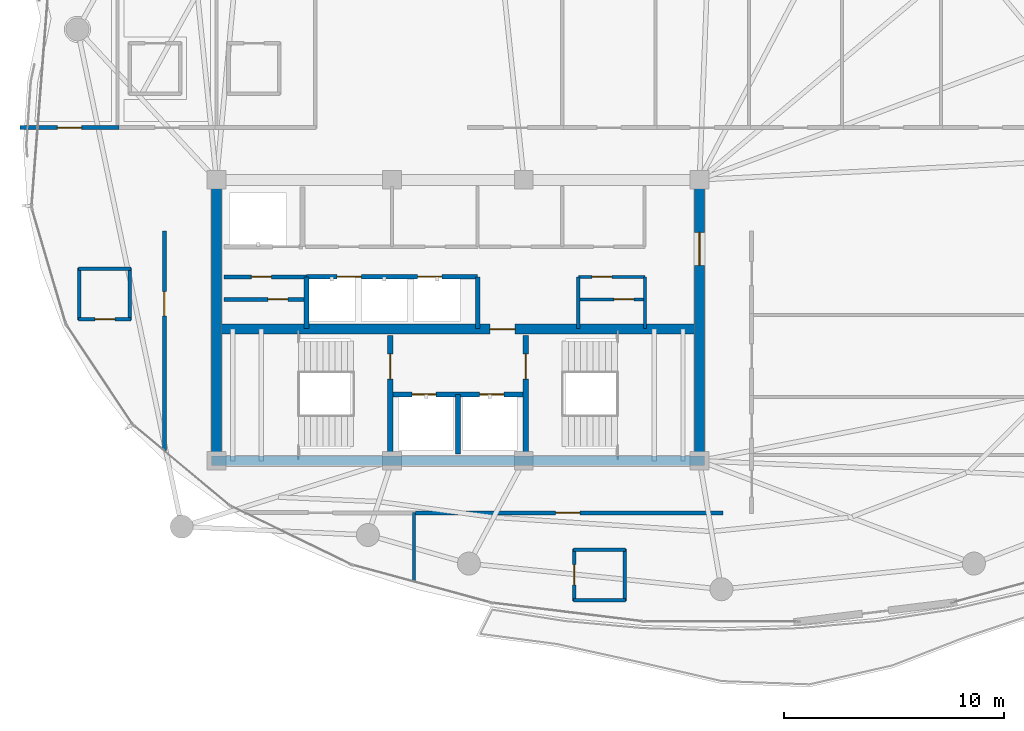
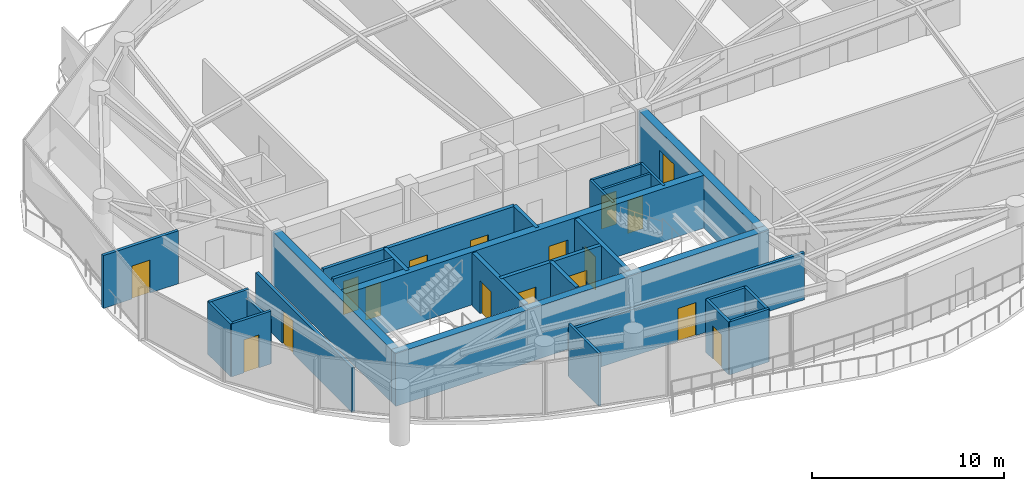
# One storey, part 25 of 31: 29 walls, 17 doors, 17 openings.
"""IFC4 building model written with IfcOpenShell, lengths in metres."""

from ifc_helpers import new_model, si_unit, direction, frame, frame_2d, origin, place, context, subcontext, project, spatial, rectangle, extrude, material, layer, layer_set, type_object, element, fill, save


model = new_model("IFC4")

# Units and contexts
model_context = context("Model", 3, precision=1e-05, world=origin(), true_north=direction((0.0, 1.0)))
body_context = subcontext(model_context, "Body", "Model", "MODEL_VIEW")
ifc_project = project(units=[si_unit("LENGTHUNIT", "METRE"), si_unit("AREAUNIT", "SQUARE_METRE"), si_unit("VOLUMEUNIT", "CUBIC_METRE"), si_unit("PLANEANGLEUNIT", "RADIAN"), si_unit("MASSUNIT", "GRAM", prefix="KILO")], contexts=[model_context])

# Site, building, storey
site_placement = place(None, origin())
site = spatial("IfcSite", under=ifc_project, at=site_placement, CompositionType="ELEMENT")
building_placement = place(site_placement, origin())
building = spatial("IfcBuilding", under=site, at=building_placement, Name="Kazevale Care Tower and Concert Hall", CompositionType="ELEMENT")
storey_placement = place(building_placement, frame((0.0, 0.0, 220.800048828125)))
storey = spatial("IfcBuildingStorey", under=building, at=storey_placement, Name="L58", CompositionType="ELEMENT", Elevation=220.800048828125)

# Walls
ifc_material_1 = material(Name="Acoustic Gypsum on Steel Stud", Category="steel")
ifc_layer_1 = layer(ifc_material_1, 0.139892578125)
ifc_layer_set_1 = layer_set([ifc_layer_1], Name="Acoustic Gypsum on Steel Stud")
wall_type_1 = type_object("IfcWallType", Name="Acoustic Care & Suite Partition 140", PredefinedType="PARTITIONING", material=ifc_layer_set_1)
for number, where, z_axis, x_axis, name in (
    (1, (38.47998046875, 29.6201171875, 0.0), (0.0, 0.0, 1.0), (0.0, 1.0, 0.0), "wall:L58:kc_ew"),
    (2, (41.52001953125, 29.6201171875, 0.0), (0.0, 0.0, 1.0), (0.0, 1.0, 0.0), "wall:L58:kc_ee"),
):
    element("IfcWall", number, at=place(storey_placement, frame(where, z_axis=z_axis, x_axis=x_axis)), inside=storey, type_object=wall_type_1, Name=name, PredefinedType="PARTITIONING", context=body_context, shape_type="SweptSolid", body=[
        extrude(rectangle(XDim=2.35986328125, YDim=0.139892578125, at=frame_2d((1.179931640625, 0.0))), origin(), (0.0, 0.0, 1.0), 3.35986328125),
    ])

# Wall, opening, door
wall_1_placement = place(storey_placement, frame((38.47998046875, 30.949951171875, 0.0), z_axis=(0.0, 0.0, 1.0), x_axis=(1.0, 0.0, 0.0)))
wall_1 = element("IfcWall", 3, at=wall_1_placement, inside=storey, type_object=wall_type_1, Name="wall:L58:kc_em", PredefinedType="PARTITIONING", context=body_context, shape_type="SweptSolid", body=[
    extrude(rectangle(XDim=3.0400390625, YDim=0.139892578125, at=frame_2d((1.52001953125, 0.0))), origin(), (0.0, 0.0, 1.0), 3.35986328125),
])
opening_1_placement = place(wall_1_placement, frame((1.616943359375, 0.0, 0.0)))
opening_1 = element("IfcOpeningElement", 4, at=opening_1_placement, cuts=wall_1, Name="Opening ID-900", PredefinedType="OPENING", context=body_context, shape_type="SweptSolid", body=[
    extrude(rectangle(XDim=0.919921875, YDim=2.10009765625, at=frame_2d((0.4599609375, 1.050048828125))), frame((0.0, 0.079833984375, 0.0), z_axis=(0.0, -1.0, 0.0), x_axis=(1.0, 0.0, 0.0)), (0.0, 0.0, 1.0), 0.159912109375),
])
ifc_material_2 = material(Name="Oak Timber Fire Leaf", Category="wood")
door_type_1 = type_object("IfcDoorType", Name="Bathroom & Service Door 920x2100", OperationType="NOTDEFINED", PredefinedType="DOOR", material=ifc_material_2)
door_1_placement = place(opening_1_placement, origin())
door_1 = element("IfcDoor", 5, at=door_1_placement, inside=storey, type_object=door_type_1, Name="door:L58:d_kceb", OperationType="SINGLE_SWING_RIGHT", OverallHeight=2.10009765625, OverallWidth=0.919921875, PredefinedType="DOOR", context=body_context, shape_type="SweptSolid", body=[
    extrude(rectangle(XDim=0.919921875, YDim=2.10009765625, at=frame_2d((0.4599609375, 1.050048828125))), frame((0.0, 0.02490234375, 0.0), z_axis=(0.0, -1.0, 0.0), x_axis=(1.0, 0.0, 0.0)), (0.0, 0.0, 1.0), 0.050048828125),
])
fill(opening_1, door_1)

wall_2_placement = place(storey_placement, frame((38.47998046875, 31.97998046875, 0.0), z_axis=(0.0, 0.0, 1.0), x_axis=(1.0, 0.0, 0.0)))
wall_2 = element("IfcWall", 6, at=wall_2_placement, inside=storey, type_object=wall_type_1, Name="wall:L58:kc_en", PredefinedType="PARTITIONING", context=body_context, shape_type="SweptSolid", body=[
    extrude(rectangle(XDim=3.0400390625, YDim=0.139892578125, at=frame_2d((1.52001953125, 0.0))), origin(), (0.0, 0.0, 1.0), 3.35986328125),
])
opening_2_placement = place(wall_2_placement, frame((0.614013671875, 0.0, 0.0)))
opening_2 = element("IfcOpeningElement", 7, at=opening_2_placement, cuts=wall_2, Name="Opening ID-900", PredefinedType="OPENING", context=body_context, shape_type="SweptSolid", body=[
    extrude(rectangle(XDim=0.919921875, YDim=2.10009765625, at=frame_2d((0.4599609375, 1.050048828125))), frame((0.0, 0.079833984375, 0.0), z_axis=(0.0, -1.0, 0.0), x_axis=(1.0, 0.0, 0.0)), (0.0, 0.0, 1.0), 0.159912109375),
])
door_2_placement = place(opening_2_placement, origin())
door_2 = element("IfcDoor", 8, at=door_2_placement, inside=storey, type_object=door_type_1, Name="door:L58:d_kcet", OperationType="SINGLE_SWING_LEFT", OverallHeight=2.10009765625, OverallWidth=0.919921875, PredefinedType="DOOR", context=body_context, shape_type="SweptSolid", body=[
    extrude(rectangle(XDim=0.919921875, YDim=2.10009765625, at=frame_2d((0.4599609375, 1.050048828125))), frame((0.0, 0.02490234375, 0.0), z_axis=(0.0, -1.0, 0.0), x_axis=(1.0, 0.0, 0.0)), (0.0, 0.0, 1.0), 0.050048828125),
])
fill(opening_2, door_2)

# Walls
wall_3_placement = place(storey_placement, frame((31.0, 21.2548828125, 0.0), z_axis=(0.0, 0.0, 1.0), x_axis=(0.0, -1.0, 0.0)))
element("IfcWall", 9, at=wall_3_placement, inside=storey, type_object=wall_type_1, Name="wall:L58:auto_030", PredefinedType="PARTITIONING", context=body_context, shape_type="SweptSolid", body=[
    extrude(rectangle(XDim=3.14990234375, YDim=0.139892578125, at=frame_2d((1.574951171875, 0.0))), origin(), (0.0, 0.0, 1.0), 3.35986328125),
])
ifc_material_3 = material(Name="Concrete C50", Category="concrete")
ifc_layer_2 = layer(ifc_material_3, 0.449951171875)
ifc_layer_set_2 = layer_set([ifc_layer_2], Name="Concrete C50")
wall_type_2 = type_object("IfcWallType", Name="Core Shear Wall 450 C50", PredefinedType="SHEAR", material=ifc_layer_set_2)
wall_4_placement = place(storey_placement, frame((21.77490234375, 23.60009765625, 0.0), z_axis=(0.0, 0.0, 1.0), x_axis=(1.0, 0.0, 0.0)))
element("IfcWall", 10, at=wall_4_placement, inside=storey, type_object=wall_type_2, Name="wall:L58:core:S", PredefinedType="SHEAR", context=body_context, shape_type="SweptSolid", body=[
    extrude(rectangle(XDim=22.4501953125, YDim=0.449951171875, at=frame_2d((11.22509765625, 0.0))), origin(), (0.0, 0.0, 1.0), 3.35986328125),
])
wall_5_placement = place(storey_placement, frame((22.0, 23.824951171875, 0.0), z_axis=(0.0, 0.0, 1.0), x_axis=(0.0, 1.0, 0.0)))
element("IfcWall", 11, at=wall_5_placement, inside=storey, type_object=wall_type_2, Name="wall:L58:core:W", PredefinedType="SHEAR", context=body_context, shape_type="SweptSolid", body=[
    extrude(rectangle(XDim=12.35009765625, YDim=0.449951171875, at=frame_2d((6.175048828125, 0.0))), origin(), (0.0, 0.0, 1.0), 3.35986328125),
])

# Wall, opening, door
wall_6_placement = place(storey_placement, frame((44.0, 23.824951171875, 0.0), z_axis=(0.0, 0.0, 1.0), x_axis=(0.0, 1.0, 0.0)))
wall_6 = element("IfcWall", 12, at=wall_6_placement, inside=storey, type_object=wall_type_2, Name="wall:L58:core:E", PredefinedType="SHEAR", context=body_context, shape_type="SweptSolid", body=[
    extrude(rectangle(XDim=12.35009765625, YDim=0.449951171875, at=frame_2d((6.175048828125, 0.0))), origin(), (0.0, 0.0, 1.0), 3.35986328125),
])
opening_3_placement = place(wall_6_placement, frame((8.675048828125, 0.0, 0.0)))
opening_3 = element("IfcOpeningElement", 13, at=opening_3_placement, cuts=wall_6, Name="Opening FD-60D", PredefinedType="OPENING", context=body_context, shape_type="SweptSolid", body=[
    extrude(rectangle(XDim=1.5, YDim=2.14990234375, at=frame_2d((0.75, 1.074951171875))), frame((0.0, 0.23486328125, 0.0), z_axis=(0.0, -1.0, 0.0), x_axis=(1.0, 0.0, 0.0)), (0.0, 0.0, 1.0), 0.469970703125),
])
door_type_2 = type_object("IfcDoorType", Name="Double Lobby & Auditorium Fire Door 1500x2150", OperationType="NOTDEFINED", PredefinedType="DOOR", material=ifc_material_2)
door_3_placement = place(opening_3_placement, origin())
door_3 = element("IfcDoor", 14, at=door_3_placement, inside=storey, type_object=door_type_2, Name="door:L58:core_east_out", OperationType="DOUBLE_DOOR_SINGLE_SWING", OverallHeight=2.14990234375, OverallWidth=1.5, PredefinedType="DOOR", context=body_context, shape_type="SweptSolid", body=[
    extrude(rectangle(XDim=1.5, YDim=2.14990234375, at=frame_2d((0.75, 1.074951171875))), frame((0.0, 0.02490234375, 0.0), z_axis=(0.0, -1.0, 0.0), x_axis=(1.0, 0.0, 0.0)), (0.0, 0.0, 1.0), 0.050048828125),
])
fill(opening_3, door_3)

wall_7_placement = place(storey_placement, frame((22.22509765625, 29.60009765625, 0.0), z_axis=(0.0, 0.0, 1.0), x_axis=(1.0, 0.0, 0.0)))
wall_7 = element("IfcWall", 15, at=wall_7_placement, inside=storey, type_object=wall_type_2, Name="wall:L58:core:M", PredefinedType="SHEAR", context=body_context, shape_type="SweptSolid", body=[
    extrude(rectangle(XDim=21.5498046875, YDim=0.449951171875, at=frame_2d((10.77490234375, 0.0))), origin(), (0.0, 0.0, 1.0), 3.35986328125),
])
opening_4_placement = place(wall_7_placement, frame((12.22509765625, 0.0, 0.0)))
opening_4 = element("IfcOpeningElement", 16, at=opening_4_placement, cuts=wall_7, Name="Opening FD-90", PredefinedType="OPENING", context=body_context, shape_type="SweptSolid", body=[
    extrude(rectangle(XDim=1.14990234375, YDim=2.10009765625, at=frame_2d((0.574951171875, 1.050048828125))), frame((0.0, 0.23486328125, 0.0), z_axis=(0.0, -1.0, 0.0), x_axis=(1.0, 0.0, 0.0)), (0.0, 0.0, 1.0), 0.469970703125),
])
ifc_material_4 = material(Name="Steel ASTM A572 Gr 50", Category="steel")
door_type_3 = type_object("IfcDoorType", Name="Pressurized Stair & Lobby Fire Door 1150x2100", OperationType="NOTDEFINED", PredefinedType="DOOR", material=ifc_material_4)
door_4_placement = place(opening_4_placement, origin())
door_4 = element("IfcDoor", 17, at=door_4_placement, inside=storey, type_object=door_type_3, Name="door:L58:ff_to_pax", OperationType="SINGLE_SWING_LEFT", OverallHeight=2.10009765625, OverallWidth=1.14990234375, PredefinedType="DOOR", context=body_context, shape_type="SweptSolid", body=[
    extrude(rectangle(XDim=1.14990234375, YDim=2.10009765625, at=frame_2d((0.574951171875, 1.050048828125))), frame((0.0, 0.02490234375, 0.0), z_axis=(0.0, -1.0, 0.0), x_axis=(1.0, 0.0, 0.0)), (0.0, 0.0, 1.0), 0.050048828125),
])
fill(opening_4, door_4)

# Wall, openings, doors
ifc_material_5 = material(Name="Concrete C40", Category="concrete")
ifc_layer_3 = layer(ifc_material_5, 0.219970703125)
ifc_layer_set_3 = layer_set([ifc_layer_3], Name="Concrete C40")
wall_type_3 = type_object("IfcWallType", Name="Elevator Hoistway Shaft Wall 220", PredefinedType="SOLIDWALL", material=ifc_layer_set_3)
wall_8_placement = place(storey_placement, frame((29.919921875, 26.6201171875, 0.0), z_axis=(0.0, 0.0, 1.0), x_axis=(1.0, 0.0, 0.0)))
wall_8 = element("IfcWall", 18, at=wall_8_placement, inside=storey, type_object=wall_type_3, Name="wall:L58:c_ffl_n", PredefinedType="SOLIDWALL", context=body_context, shape_type="SweptSolid", body=[
    extrude(rectangle(XDim=6.16015625, YDim=0.219970703125, at=frame_2d((3.080078125, 0.0))), origin(), (0.0, 0.0, 1.0), 3.35986328125),
])
opening_5_placement = place(wall_8_placement, frame((0.989990234375, 0.0, 0.0)))
opening_5 = element("IfcOpeningElement", 19, at=opening_5_placement, cuts=wall_8, Name="Opening LD-FF", PredefinedType="OPENING", context=body_context, shape_type="SweptSolid", body=[
    extrude(rectangle(XDim=1.10009765625, YDim=2.10009765625, at=frame_2d((0.550048828125, 1.050048828125))), frame((0.0, 0.119873046875, 0.0), z_axis=(0.0, -1.0, 0.0), x_axis=(1.0, 0.0, 0.0)), (0.0, 0.0, 1.0), 0.239990234375),
])
opening_6_placement = place(wall_8_placement, frame((4.070068359375, 0.0, 0.0)))
opening_6 = element("IfcOpeningElement", 20, at=opening_6_placement, cuts=wall_8, Name="Opening LD-FF", PredefinedType="OPENING", context=body_context, shape_type="SweptSolid", body=[
    extrude(rectangle(XDim=1.10009765625, YDim=2.10009765625, at=frame_2d((0.550048828125, 1.050048828125))), frame((0.0, 0.119873046875, 0.0), z_axis=(0.0, -1.0, 0.0), x_axis=(1.0, 0.0, 0.0)), (0.0, 0.0, 1.0), 0.239990234375),
])
ifc_material_6 = material(Name="Stainless Steel 316", Category="steel")
door_type_4 = type_object("IfcDoorType", Name="Emergency Lift Sliding Landing Door 1100x2100", OperationType="NOTDEFINED", PredefinedType="DOOR", material=ifc_material_6)
door_5_placement = place(opening_5_placement, origin())
door_5 = element("IfcDoor", 21, at=door_5_placement, inside=storey, type_object=door_type_4, Name="door:L58:ld_ffl1", OperationType="SLIDING_TO_LEFT", OverallHeight=2.10009765625, OverallWidth=1.10009765625, PredefinedType="DOOR", context=body_context, shape_type="SweptSolid", body=[
    extrude(rectangle(XDim=1.10009765625, YDim=2.10009765625, at=frame_2d((0.550048828125, 1.050048828125))), frame((0.0, 0.02490234375, 0.0), z_axis=(0.0, -1.0, 0.0), x_axis=(1.0, 0.0, 0.0)), (0.0, 0.0, 1.0), 0.050048828125),
])
fill(opening_5, door_5)
door_6_placement = place(opening_6_placement, origin())
door_6 = element("IfcDoor", 22, at=door_6_placement, inside=storey, type_object=door_type_4, Name="door:L58:ld_ffl2", OperationType="SLIDING_TO_RIGHT", OverallHeight=2.10009765625, OverallWidth=1.10009765625, PredefinedType="DOOR", context=body_context, shape_type="SweptSolid", body=[
    extrude(rectangle(XDim=1.10009765625, YDim=2.10009765625, at=frame_2d((0.550048828125, 1.050048828125))), frame((0.0, 0.02490234375, 0.0), z_axis=(0.0, -1.0, 0.0), x_axis=(1.0, 0.0, 0.0)), (0.0, 0.0, 1.0), 0.050048828125),
])
fill(opening_6, door_6)

# Walls
wall_9_placement = place(storey_placement, frame((33.0, 23.89990234375, 0.0), z_axis=(0.0, 0.0, 1.0), x_axis=(0.0, 1.0, 0.0)))
element("IfcWall", 23, at=wall_9_placement, inside=storey, type_object=wall_type_3, Name="wall:L58:c_ffl_m", PredefinedType="SOLIDWALL", context=body_context, shape_type="SweptSolid", body=[
    extrude(rectangle(XDim=2.72021484375, YDim=0.219970703125, at=frame_2d((1.360107421875, 0.0))), origin(), (0.0, 0.0, 1.0), 3.35986328125),
])
wall_10_placement = place(storey_placement, frame((26.10009765625, 29.6201171875, 0.0), z_axis=(0.0, 0.0, 1.0), x_axis=(0.0, 1.0, 0.0)))
element("IfcWall", 24, at=wall_10_placement, inside=storey, type_object=wall_type_3, Name="wall:L58:c_ph_w", PredefinedType="SOLIDWALL", context=body_context, shape_type="SweptSolid", body=[
    extrude(rectangle(XDim=2.35986328125, YDim=0.219970703125, at=frame_2d((1.179931640625, 0.0))), origin(), (0.0, 0.0, 1.0), 3.35986328125),
])

# Wall, openings, doors
wall_11_placement = place(storey_placement, frame((26.10009765625, 31.97998046875, 0.0), z_axis=(0.0, 0.0, 1.0), x_axis=(1.0, 0.0, 0.0)))
wall_11 = element("IfcWall", 25, at=wall_11_placement, inside=storey, type_object=wall_type_3, Name="wall:L58:c_ph_n", PredefinedType="SOLIDWALL", context=body_context, shape_type="SweptSolid", body=[
    extrude(rectangle(XDim=7.7998046875, YDim=0.219970703125, at=frame_2d((3.89990234375, 0.0))), origin(), (0.0, 0.0, 1.0), 3.35986328125),
])
opening_7_placement = place(wall_11_placement, frame((1.39990234375, 0.0, 0.0)))
opening_7 = element("IfcOpeningElement", 26, at=opening_7_placement, cuts=wall_11, Name="Opening LD-PAX", PredefinedType="OPENING", context=body_context, shape_type="SweptSolid", body=[
    extrude(rectangle(XDim=1.10009765625, YDim=2.10009765625, at=frame_2d((0.550048828125, 1.050048828125))), frame((0.0, 0.119873046875, 0.0), z_axis=(0.0, -1.0, 0.0), x_axis=(1.0, 0.0, 0.0)), (0.0, 0.0, 1.0), 0.239990234375),
])
opening_8_placement = place(wall_11_placement, frame((5.06591796875, 0.0, 0.0)))
opening_8 = element("IfcOpeningElement", 27, at=opening_8_placement, cuts=wall_11, Name="Opening LD-PAX", PredefinedType="OPENING", context=body_context, shape_type="SweptSolid", body=[
    extrude(rectangle(XDim=1.10009765625, YDim=2.10009765625, at=frame_2d((0.550048828125, 1.050048828125))), frame((0.0, 0.119873046875, 0.0), z_axis=(0.0, -1.0, 0.0), x_axis=(1.0, 0.0, 0.0)), (0.0, 0.0, 1.0), 0.239990234375),
])
door_type_5 = type_object("IfcDoorType", Name="Passenger Lift Sliding Landing Door 1100x2100", OperationType="NOTDEFINED", PredefinedType="DOOR", material=ifc_material_6)
door_7_placement = place(opening_7_placement, origin())
door_7 = element("IfcDoor", 28, at=door_7_placement, inside=storey, type_object=door_type_5, Name="door:L58:ld_ph1", OperationType="SLIDING_TO_LEFT", OverallHeight=2.10009765625, OverallWidth=1.10009765625, PredefinedType="DOOR", context=body_context, shape_type="SweptSolid", body=[
    extrude(rectangle(XDim=1.10009765625, YDim=2.10009765625, at=frame_2d((0.550048828125, 1.050048828125))), frame((0.0, 0.02490234375, 0.0), z_axis=(0.0, -1.0, 0.0), x_axis=(1.0, 0.0, 0.0)), (0.0, 0.0, 1.0), 0.050048828125),
])
fill(opening_7, door_7)
door_8_placement = place(opening_8_placement, origin())
door_8 = element("IfcDoor", 29, at=door_8_placement, inside=storey, type_object=door_type_5, Name="door:L58:ld_ph2", OperationType="SLIDING_TO_RIGHT", OverallHeight=2.10009765625, OverallWidth=1.10009765625, PredefinedType="DOOR", context=body_context, shape_type="SweptSolid", body=[
    extrude(rectangle(XDim=1.10009765625, YDim=2.10009765625, at=frame_2d((0.550048828125, 1.050048828125))), frame((0.0, 0.02490234375, 0.0), z_axis=(0.0, -1.0, 0.0), x_axis=(1.0, 0.0, 0.0)), (0.0, 0.0, 1.0), 0.050048828125),
])
fill(opening_8, door_8)

# Wall
wall_12_placement = place(storey_placement, frame((33.89990234375, 29.6201171875, 0.0), z_axis=(0.0, 0.0, 1.0), x_axis=(0.0, 1.0, 0.0)))
element("IfcWall", 30, at=wall_12_placement, inside=storey, type_object=wall_type_3, Name="wall:L58:c_ph_e", PredefinedType="SOLIDWALL", context=body_context, shape_type="SweptSolid", body=[
    extrude(rectangle(XDim=2.35986328125, YDim=0.219970703125, at=frame_2d((1.179931640625, 0.0))), origin(), (0.0, 0.0, 1.0), 3.35986328125),
])

# Wall, opening, door
ifc_material_7 = material(Name="Concrete C40 and Acoustic Gypsum", Category="concrete")
ifc_layer_4 = layer(ifc_material_7, 0.179931640625)
ifc_layer_set_4 = layer_set([ifc_layer_4], Name="Concrete C40 and Acoustic Gypsum")
wall_type_4 = type_object("IfcWallType", Name="Fire-Rated Corridor & Party Wall 180", PredefinedType="PARTITIONING", material=ifc_layer_set_4)
wall_13_placement = place(storey_placement, frame((22.35009765625, 30.949951171875, 0.0), z_axis=(0.0, 0.0, 1.0), x_axis=(1.0, 0.0, 0.0)))
wall_13 = element("IfcWall", 31, at=wall_13_placement, inside=storey, type_object=wall_type_4, Name="wall:L58:kc_wm", PredefinedType="PARTITIONING", context=body_context, shape_type="SweptSolid", body=[
    extrude(rectangle(XDim=3.75, YDim=0.179931640625, at=frame_2d((1.875, 0.0))), origin(), (0.0, 0.0, 1.0), 3.35986328125),
])
opening_9_placement = place(wall_13_placement, frame((1.988037109375, 0.0, 0.0)))
opening_9 = element("IfcOpeningElement", 32, at=opening_9_placement, cuts=wall_13, Name="Opening ID-900", PredefinedType="OPENING", context=body_context, shape_type="SweptSolid", body=[
    extrude(rectangle(XDim=0.919921875, YDim=2.10009765625, at=frame_2d((0.4599609375, 1.050048828125))), frame((0.0, 0.099853515625, 0.0), z_axis=(0.0, -1.0, 0.0), x_axis=(1.0, 0.0, 0.0)), (0.0, 0.0, 1.0), 0.199951171875),
])
door_9_placement = place(opening_9_placement, origin())
door_9 = element("IfcDoor", 33, at=door_9_placement, inside=storey, type_object=door_type_1, Name="door:L58:d_kcwb", OperationType="SINGLE_SWING_RIGHT", OverallHeight=2.10009765625, OverallWidth=0.919921875, PredefinedType="DOOR", context=body_context, shape_type="SweptSolid", body=[
    extrude(rectangle(XDim=0.919921875, YDim=2.10009765625, at=frame_2d((0.4599609375, 1.050048828125))), frame((0.0, 0.02490234375, 0.0), z_axis=(0.0, -1.0, 0.0), x_axis=(1.0, 0.0, 0.0)), (0.0, 0.0, 1.0), 0.050048828125),
])
fill(opening_9, door_9)

wall_14_placement = place(storey_placement, frame((22.35009765625, 31.97998046875, 0.0), z_axis=(0.0, 0.0, 1.0), x_axis=(1.0, 0.0, 0.0)))
wall_14 = element("IfcWall", 34, at=wall_14_placement, inside=storey, type_object=wall_type_4, Name="wall:L58:kc_wn", PredefinedType="PARTITIONING", context=body_context, shape_type="SweptSolid", body=[
    extrude(rectangle(XDim=3.75, YDim=0.179931640625, at=frame_2d((1.875, 0.0))), origin(), (0.0, 0.0, 1.0), 3.35986328125),
])
opening_10_placement = place(wall_14_placement, frame((1.238037109375, 0.0, 0.0)))
opening_10 = element("IfcOpeningElement", 35, at=opening_10_placement, cuts=wall_14, Name="Opening ID-900", PredefinedType="OPENING", context=body_context, shape_type="SweptSolid", body=[
    extrude(rectangle(XDim=0.919921875, YDim=2.10009765625, at=frame_2d((0.4599609375, 1.050048828125))), frame((0.0, 0.099853515625, 0.0), z_axis=(0.0, -1.0, 0.0), x_axis=(1.0, 0.0, 0.0)), (0.0, 0.0, 1.0), 0.199951171875),
])
door_10_placement = place(opening_10_placement, origin())
door_10 = element("IfcDoor", 36, at=door_10_placement, inside=storey, type_object=door_type_1, Name="door:L58:d_kcwt", OperationType="SINGLE_SWING_LEFT", OverallHeight=2.10009765625, OverallWidth=0.919921875, PredefinedType="DOOR", context=body_context, shape_type="SweptSolid", body=[
    extrude(rectangle(XDim=0.919921875, YDim=2.10009765625, at=frame_2d((0.4599609375, 1.050048828125))), frame((0.0, 0.02490234375, 0.0), z_axis=(0.0, -1.0, 0.0), x_axis=(1.0, 0.0, 0.0)), (0.0, 0.0, 1.0), 0.050048828125),
])
fill(opening_10, door_10)

wall_15_placement = place(storey_placement, frame((13.053955078125, 38.77490234375, 0.0), z_axis=(0.0, 0.0, 1.0), x_axis=(1.0, 0.0, 0.0)))
wall_15 = element("IfcWall", 37, at=wall_15_placement, inside=storey, type_object=wall_type_4, Name="wall:L58:auto_001", PredefinedType="PARTITIONING", context=body_context, shape_type="SweptSolid", body=[
    extrude(rectangle(XDim=4.510986328125, YDim=0.179931640625, at=frame_2d((2.25537109375, 0.0))), origin(), (0.0, 0.0, 1.0), 3.35986328125),
])
opening_11_placement = place(wall_15_placement, frame((1.7060546875, 0.0, 0.0)))
opening_11 = element("IfcOpeningElement", 38, at=opening_11_placement, cuts=wall_15, Name="Opening ID-1100", PredefinedType="OPENING", context=body_context, shape_type="SweptSolid", body=[
    extrude(rectangle(XDim=1.10009765625, YDim=2.10009765625, at=frame_2d((0.550048828125, 1.050048828125))), frame((0.0, 0.099853515625, 0.0), z_axis=(0.0, -1.0, 0.0), x_axis=(1.0, 0.0, 0.0)), (0.0, 0.0, 1.0), 0.199951171875),
])
door_type_6 = type_object("IfcDoorType", Name="Care Bedroom Accessible Door 1100x2100", OperationType="NOTDEFINED", PredefinedType="DOOR", material=ifc_material_2)
door_11_placement = place(opening_11_placement, origin())
door_11 = element("IfcDoor", 39, at=door_11_placement, inside=storey, type_object=door_type_6, Name="door:L58:ad_001", OperationType="SINGLE_SWING_LEFT", OverallHeight=2.10009765625, OverallWidth=1.10009765625, PredefinedType="DOOR", context=body_context, shape_type="SweptSolid", body=[
    extrude(rectangle(XDim=1.10009765625, YDim=2.10009765625, at=frame_2d((0.550048828125, 1.050048828125))), frame((0.0, 0.02490234375, 0.0), z_axis=(0.0, -1.0, 0.0), x_axis=(1.0, 0.0, 0.0)), (0.0, 0.0, 1.0), 0.050048828125),
])
fill(opening_11, door_11)

wall_16_placement = place(storey_placement, frame((45.06494140625, 21.22509765625, 0.0), z_axis=(0.0, 0.0, 1.0), x_axis=(-1.0, 0.0, 0.0)))
wall_16 = element("IfcWall", 40, at=wall_16_placement, inside=storey, type_object=wall_type_4, Name="wall:L58:auto_017", PredefinedType="PARTITIONING", context=body_context, shape_type="SweptSolid", body=[
    extrude(rectangle(XDim=14.1298828125, YDim=0.179931640625, at=frame_2d((7.06494140625, 0.0))), origin(), (0.0, 0.0, 1.0), 2.995849609375),
])
opening_12_placement = place(wall_16_placement, frame((6.514892578125, 0.0, 0.0)))
opening_12 = element("IfcOpeningElement", 41, at=opening_12_placement, cuts=wall_16, Name="Opening ID-1100", PredefinedType="OPENING", context=body_context, shape_type="SweptSolid", body=[
    extrude(rectangle(XDim=1.10009765625, YDim=2.10009765625, at=frame_2d((0.550048828125, 1.050048828125))), frame((0.0, 0.099853515625, 0.0), z_axis=(0.0, -1.0, 0.0), x_axis=(1.0, 0.0, 0.0)), (0.0, 0.0, 1.0), 0.199951171875),
])
door_12_placement = place(opening_12_placement, origin())
door_12 = element("IfcDoor", 42, at=door_12_placement, inside=storey, type_object=door_type_6, Name="door:L58:ad_017", OperationType="SINGLE_SWING_LEFT", OverallHeight=2.10009765625, OverallWidth=1.10009765625, PredefinedType="DOOR", context=body_context, shape_type="SweptSolid", body=[
    extrude(rectangle(XDim=1.10009765625, YDim=2.10009765625, at=frame_2d((0.550048828125, 1.050048828125))), frame((0.0, 0.02490234375, 0.0), z_axis=(0.0, -1.0, 0.0), x_axis=(1.0, 0.0, 0.0)), (0.0, 0.0, 1.0), 0.050048828125),
])
fill(opening_12, door_12)

wall_17_placement = place(storey_placement, frame((19.625, 24.059814453125, 0.0), z_axis=(0.0, 0.0, 1.0), x_axis=(0.0, 1.0, 0.0)))
wall_17 = element("IfcWall", 43, at=wall_17_placement, inside=storey, type_object=wall_type_4, Name="wall:L58:auto_018", PredefinedType="PARTITIONING", context=body_context, shape_type="SweptSolid", body=[
    extrude(rectangle(XDim=10.005126953125, YDim=0.179931640625, at=frame_2d((5.00244140625, 0.0))), origin(), (0.0, 0.0, 1.0), 2.81689453125),
])
opening_13_placement = place(wall_17_placement, frame((6.139892578125, 0.0, 0.0)))
opening_13 = element("IfcOpeningElement", 44, at=opening_13_placement, cuts=wall_17, Name="Opening ID-1100", PredefinedType="OPENING", context=body_context, shape_type="SweptSolid", body=[
    extrude(rectangle(XDim=1.10009765625, YDim=2.10009765625, at=frame_2d((0.550048828125, 1.050048828125))), frame((0.0, 0.099853515625, 0.0), z_axis=(0.0, -1.0, 0.0), x_axis=(1.0, 0.0, 0.0)), (0.0, 0.0, 1.0), 0.199951171875),
])
door_13_placement = place(opening_13_placement, origin())
door_13 = element("IfcDoor", 45, at=door_13_placement, inside=storey, type_object=door_type_6, Name="door:L58:ad_018", OperationType="SINGLE_SWING_LEFT", OverallHeight=2.10009765625, OverallWidth=1.10009765625, PredefinedType="DOOR", context=body_context, shape_type="SweptSolid", body=[
    extrude(rectangle(XDim=1.10009765625, YDim=2.10009765625, at=frame_2d((0.550048828125, 1.050048828125))), frame((0.0, 0.02490234375, 0.0), z_axis=(0.0, -1.0, 0.0), x_axis=(1.0, 0.0, 0.0)), (0.0, 0.0, 1.0), 0.050048828125),
])
fill(opening_13, door_13)

# Walls
ifc_layer_5 = layer(ifc_material_1, 0.159912109375)
ifc_layer_set_5 = layer_set([ifc_layer_5], Name="Acoustic Gypsum on Steel Stud")
wall_type_5 = type_object("IfcWallType", Name="Moisture-Resistant Bathroom Plumbing Wall 160", PredefinedType="PLUMBINGWALL", material=ifc_layer_set_5)
for number, where, z_axis, x_axis, name in (
    (46, (38.260009765625, 17.2470703125, 0.0), (0.0, 0.0, 1.0), (1.0, 0.0, 0.0), "wall:L58:sb2_ens_ws"),
    (47, (38.260009765625, 19.547119140625, 0.0), (0.0, 0.0, 1.0), (1.0, 0.0, 0.0), "wall:L58:sb2_ens_wn"),
):
    element("IfcWall", number, at=place(storey_placement, frame(where, z_axis=z_axis, x_axis=x_axis)), inside=storey, type_object=wall_type_5, Name=name, PredefinedType="PLUMBINGWALL", context=body_context, shape_type="SweptSolid", body=[
        extrude(rectangle(XDim=2.3798828125, YDim=0.159912109375, at=frame_2d((1.18994140625, 0.0))), origin(), (0.0, 0.0, 1.0), 3.35986328125),
    ])

# Wall, opening, door
wall_18_placement = place(storey_placement, frame((38.300048828125, 17.20703125, 0.0), z_axis=(0.0, 0.0, 1.0), x_axis=(0.0, 1.0, 0.0)))
wall_18 = element("IfcWall", 48, at=wall_18_placement, inside=storey, type_object=wall_type_5, Name="wall:L58:sb2_ens_ww", PredefinedType="PLUMBINGWALL", context=body_context, shape_type="SweptSolid", body=[
    extrude(rectangle(XDim=2.3798828125, YDim=0.159912109375, at=frame_2d((1.18994140625, 0.0))), origin(), (0.0, 0.0, 1.0), 3.35986328125),
])
opening_14_placement = place(wall_18_placement, frame((0.739990234375, 0.0, 0.0)))
opening_14 = element("IfcOpeningElement", 49, at=opening_14_placement, cuts=wall_18, Name="Opening ID-900", PredefinedType="OPENING", context=body_context, shape_type="SweptSolid", body=[
    extrude(rectangle(XDim=0.919921875, YDim=2.10009765625, at=frame_2d((0.4599609375, 1.050048828125))), frame((0.0, 0.08984375, 0.0), z_axis=(0.0, -1.0, 0.0), x_axis=(1.0, 0.0, 0.0)), (0.0, 0.0, 1.0), 0.179931640625),
])
door_14_placement = place(opening_14_placement, origin())
door_14 = element("IfcDoor", 50, at=door_14_placement, inside=storey, type_object=door_type_1, Name="door:L58:sb2_ens_d", OperationType="SINGLE_SWING_LEFT", OverallHeight=2.10009765625, OverallWidth=0.919921875, PredefinedType="DOOR", context=body_context, shape_type="SweptSolid", body=[
    extrude(rectangle(XDim=0.919921875, YDim=2.10009765625, at=frame_2d((0.4599609375, 1.050048828125))), frame((0.0, 0.02490234375, 0.0), z_axis=(0.0, -1.0, 0.0), x_axis=(1.0, 0.0, 0.0)), (0.0, 0.0, 1.0), 0.050048828125),
])
fill(opening_14, door_14)

# Wall
wall_19_placement = place(storey_placement, frame((40.60009765625, 17.20703125, 0.0), z_axis=(0.0, 0.0, 1.0), x_axis=(0.0, 1.0, 0.0)))
element("IfcWall", 51, at=wall_19_placement, inside=storey, type_object=wall_type_5, Name="wall:L58:sb2_ens_we", PredefinedType="PLUMBINGWALL", context=body_context, shape_type="SweptSolid", body=[
    extrude(rectangle(XDim=2.3798828125, YDim=0.159912109375, at=frame_2d((1.18994140625, 0.0))), origin(), (0.0, 0.0, 1.0), 3.35986328125),
])

# Wall, opening, door
wall_20_placement = place(storey_placement, frame((15.718994140625, 30.050048828125, 0.0), z_axis=(0.0, 0.0, 1.0), x_axis=(1.0, 0.0, 0.0)))
wall_20 = element("IfcWall", 52, at=wall_20_placement, inside=storey, type_object=wall_type_5, Name="wall:L58:wb2_ens_ws", PredefinedType="PLUMBINGWALL", context=body_context, shape_type="SweptSolid", body=[
    extrude(rectangle(XDim=2.380126953125, YDim=0.159912109375, at=frame_2d((1.18994140625, 0.0))), origin(), (0.0, 0.0, 1.0), 3.35986328125),
])
opening_15_placement = place(wall_20_placement, frame((0.739990234375, 0.0, 0.0)))
opening_15 = element("IfcOpeningElement", 53, at=opening_15_placement, cuts=wall_20, Name="Opening ID-900", PredefinedType="OPENING", context=body_context, shape_type="SweptSolid", body=[
    extrude(rectangle(XDim=0.919921875, YDim=2.10009765625, at=frame_2d((0.4599609375, 1.050048828125))), frame((0.0, 0.08984375, 0.0), z_axis=(0.0, -1.0, 0.0), x_axis=(1.0, 0.0, 0.0)), (0.0, 0.0, 1.0), 0.179931640625),
])
door_15_placement = place(opening_15_placement, origin())
door_15 = element("IfcDoor", 54, at=door_15_placement, inside=storey, type_object=door_type_1, Name="door:L58:wb2_ens_d", OperationType="SINGLE_SWING_LEFT", OverallHeight=2.10009765625, OverallWidth=0.919921875, PredefinedType="DOOR", context=body_context, shape_type="SweptSolid", body=[
    extrude(rectangle(XDim=0.919921875, YDim=2.10009765625, at=frame_2d((0.4599609375, 1.050048828125))), frame((0.0, 0.02490234375, 0.0), z_axis=(0.0, -1.0, 0.0), x_axis=(1.0, 0.0, 0.0)), (0.0, 0.0, 1.0), 0.050048828125),
])
fill(opening_15, door_15)

# Walls
wall_21_placement = place(storey_placement, frame((15.718994140625, 32.35009765625, 0.0), z_axis=(0.0, 0.0, 1.0), x_axis=(1.0, 0.0, 0.0)))
element("IfcWall", 55, at=wall_21_placement, inside=storey, type_object=wall_type_5, Name="wall:L58:wb2_ens_wn", PredefinedType="PLUMBINGWALL", context=body_context, shape_type="SweptSolid", body=[
    extrude(rectangle(XDim=2.380126953125, YDim=0.159912109375, at=frame_2d((1.18994140625, 0.0))), origin(), (0.0, 0.0, 1.0), 3.35986328125),
])
wall_22_placement = place(storey_placement, frame((15.759033203125, 30.010009765625, 0.0), z_axis=(0.0, 0.0, 1.0), x_axis=(0.0, 1.0, 0.0)))
element("IfcWall", 56, at=wall_22_placement, inside=storey, type_object=wall_type_5, Name="wall:L58:wb2_ens_ww", PredefinedType="PLUMBINGWALL", context=body_context, shape_type="SweptSolid", body=[
    extrude(rectangle(XDim=2.3798828125, YDim=0.159912109375, at=frame_2d((1.18994140625, 0.0))), origin(), (0.0, 0.0, 1.0), 3.35986328125),
])
wall_23_placement = place(storey_placement, frame((18.05908203125, 30.010009765625, 0.0), z_axis=(0.0, 0.0, 1.0), x_axis=(0.0, 1.0, 0.0)))
element("IfcWall", 57, at=wall_23_placement, inside=storey, type_object=wall_type_5, Name="wall:L58:wb2_ens_we", PredefinedType="PLUMBINGWALL", context=body_context, shape_type="SweptSolid", body=[
    extrude(rectangle(XDim=2.3798828125, YDim=0.159912109375, at=frame_2d((1.18994140625, 0.0))), origin(), (0.0, 0.0, 1.0), 2.81689453125),
])

# Wall, opening, door
ifc_layer_6 = layer(ifc_material_5, 0.25)
ifc_layer_set_6 = layer_set([ifc_layer_6], Name="Concrete C40")
wall_type_6 = type_object("IfcWallType", Name="Pressurized Stair Shaft Wall 250", PredefinedType="SOLIDWALL", material=ifc_layer_set_6)
wall_24_placement = place(storey_placement, frame((29.919921875, 23.89990234375, 0.0), z_axis=(0.0, 0.0, 1.0), x_axis=(0.0, 1.0, 0.0)))
wall_24 = element("IfcWall", 58, at=wall_24_placement, inside=storey, type_object=wall_type_6, Name="wall:L58:c_st1_e", PredefinedType="SOLIDWALL", context=body_context, shape_type="SweptSolid", body=[
    extrude(rectangle(XDim=5.400146484375, YDim=0.25, at=frame_2d((2.7001953125, 0.0))), origin(), (0.0, 0.0, 1.0), 3.35986328125),
])
opening_16_placement = place(wall_24_placement, frame((3.4208984375, 0.0, 0.0)))
opening_16 = element("IfcOpeningElement", 59, at=opening_16_placement, cuts=wall_24, Name="Opening FD-90", PredefinedType="OPENING", context=body_context, shape_type="SweptSolid", body=[
    extrude(rectangle(XDim=1.14990234375, YDim=2.10009765625, at=frame_2d((0.574951171875, 1.050048828125))), frame((0.0, 0.135009765625, 0.0), z_axis=(0.0, -1.0, 0.0), x_axis=(1.0, 0.0, 0.0)), (0.0, 0.0, 1.0), 0.27001953125),
])
door_16_placement = place(opening_16_placement, origin())
door_16 = element("IfcDoor", 60, at=door_16_placement, inside=storey, type_object=door_type_3, Name="door:L58:st1", OperationType="SINGLE_SWING_RIGHT", OverallHeight=2.10009765625, OverallWidth=1.14990234375, PredefinedType="DOOR", context=body_context, shape_type="SweptSolid", body=[
    extrude(rectangle(XDim=1.14990234375, YDim=2.10009765625, at=frame_2d((0.574951171875, 1.050048828125))), frame((0.0, 0.02490234375, 0.0), z_axis=(0.0, -1.0, 0.0), x_axis=(1.0, 0.0, 0.0)), (0.0, 0.0, 1.0), 0.050048828125),
])
fill(opening_16, door_16)

wall_25_placement = place(storey_placement, frame((36.080078125, 23.89990234375, 0.0), z_axis=(0.0, 0.0, 1.0), x_axis=(0.0, 1.0, 0.0)))
wall_25 = element("IfcWall", 61, at=wall_25_placement, inside=storey, type_object=wall_type_6, Name="wall:L58:c_st2_w", PredefinedType="SOLIDWALL", context=body_context, shape_type="SweptSolid", body=[
    extrude(rectangle(XDim=5.400146484375, YDim=0.25, at=frame_2d((2.7001953125, 0.0))), origin(), (0.0, 0.0, 1.0), 3.35986328125),
])
opening_17_placement = place(wall_25_placement, frame((3.4208984375, 0.0, 0.0)))
opening_17 = element("IfcOpeningElement", 62, at=opening_17_placement, cuts=wall_25, Name="Opening FD-90", PredefinedType="OPENING", context=body_context, shape_type="SweptSolid", body=[
    extrude(rectangle(XDim=1.14990234375, YDim=2.10009765625, at=frame_2d((0.574951171875, 1.050048828125))), frame((0.0, 0.135009765625, 0.0), z_axis=(0.0, -1.0, 0.0), x_axis=(1.0, 0.0, 0.0)), (0.0, 0.0, 1.0), 0.27001953125),
])
door_17_placement = place(opening_17_placement, origin())
door_17 = element("IfcDoor", 63, at=door_17_placement, inside=storey, type_object=door_type_3, Name="door:L58:st2", OperationType="SINGLE_SWING_LEFT", OverallHeight=2.10009765625, OverallWidth=1.14990234375, PredefinedType="DOOR", context=body_context, shape_type="SweptSolid", body=[
    extrude(rectangle(XDim=1.14990234375, YDim=2.10009765625, at=frame_2d((0.574951171875, 1.050048828125))), frame((0.0, 0.02490234375, 0.0), z_axis=(0.0, -1.0, 0.0), x_axis=(1.0, 0.0, 0.0)), (0.0, 0.0, 1.0), 0.050048828125),
])
fill(opening_17, door_17)

save(model, "model.ifc")
